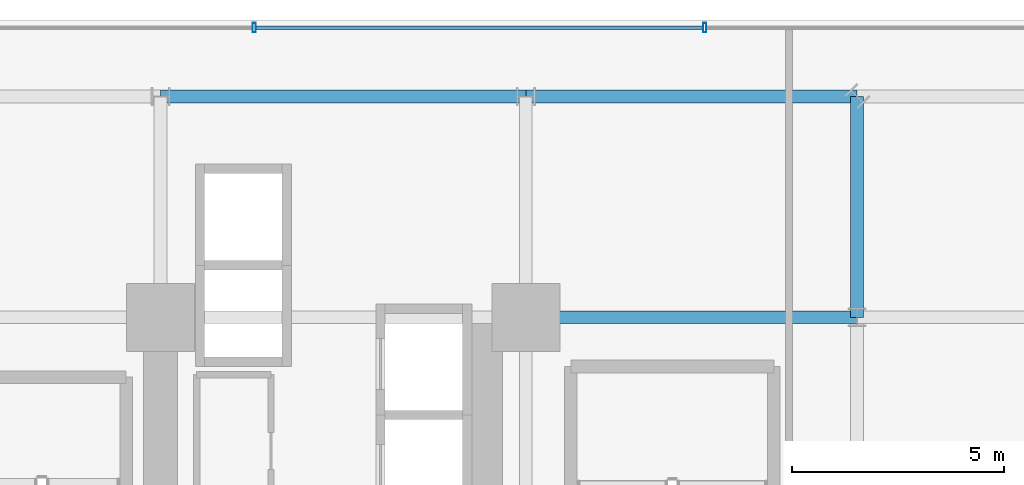
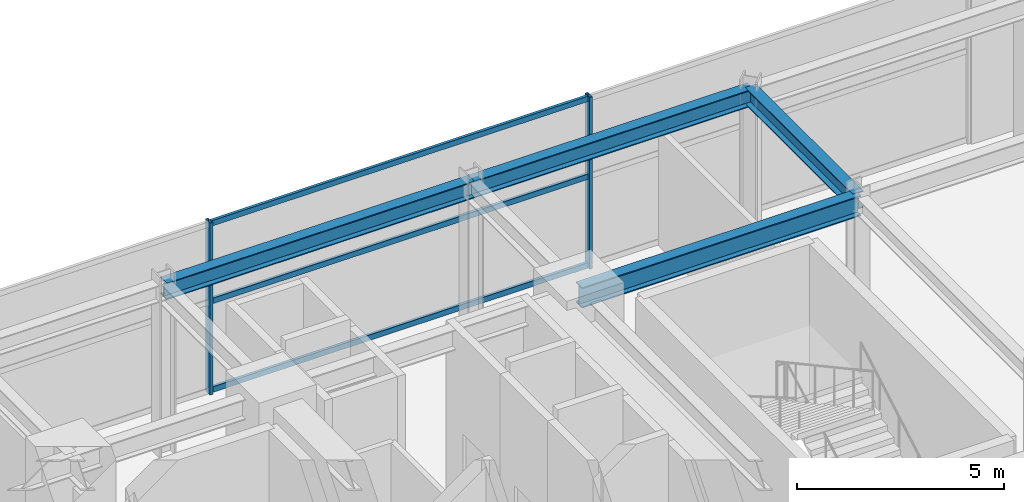
# One storey, part 20 of 32: 5 members, 4 beams, 1 element without a shape of its own.
"""IFC4 building model written with IfcOpenShell, lengths in metres."""

from ifc_helpers import new_model, si_unit, direction, frame, origin, origin_2d, place, context, subcontext, project, spatial, hollow_rectangle, i_section, extrude, source, transform, mapped, material, material_profile, profile_set, type_object, element, aggregate, save


model = new_model("IFC4")

# Units and contexts
model_context = context("Model", 3, precision=1e-05, world=origin(), true_north=direction((0.0, 1.0)))
body_context = subcontext(model_context, "Body", "Model", "MODEL_VIEW")
ifc_project = project(units=[si_unit("LENGTHUNIT", "METRE"), si_unit("AREAUNIT", "SQUARE_METRE"), si_unit("VOLUMEUNIT", "CUBIC_METRE"), si_unit("PLANEANGLEUNIT", "RADIAN"), si_unit("MASSUNIT", "GRAM", prefix="KILO")], contexts=[model_context])

# Site, building, storey
site_placement = place(None, origin())
site = spatial("IfcSite", under=ifc_project, at=site_placement, CompositionType="ELEMENT")
building_placement = place(site_placement, origin())
building = spatial("IfcBuilding", under=site, at=building_placement, Name="Nahalor Promenade Grand Hotel", CompositionType="ELEMENT")
storey_placement = place(building_placement, frame((0.0, 0.0, 5.39990234375)))
storey = spatial("IfcBuildingStorey", under=building, at=storey_placement, Name="L01", CompositionType="ELEMENT", Elevation=5.39990234375)

# Beams
ifc_material_1 = material(Name="Steel S355JR", Category="steel")
ifc_material_profile_1 = material_profile(ifc_material_1, i_section(OverallWidth=0.3, OverallDepth=0.6, WebThickness=0.0155, FlangeThickness=0.03, at=origin_2d()), Name="HEB 600")
ifc_profile_set_1 = profile_set([ifc_material_profile_1], Name="Steel S355JR")
beam_type_1 = type_object("IfcBeamType", Name="Beam-Girder-HEB600", PredefinedType="BEAM", material=ifc_profile_set_1)
shared_shape_1 = source(origin(), body_context, "Body", "SweptSolid", [
    extrude(i_section(OverallWidth=0.3, OverallDepth=0.6, WebThickness=0.0155, FlangeThickness=0.03, at=origin_2d()), origin(), (0.0, 0.0, 1.0), 7.800048828125),
])
beam_1_placement = place(storey_placement, frame((17.0, 17.0, 4.780029296875), z_axis=(1.0, 0.0, 0.0), x_axis=(0.0, 1.0, 0.0)))
element("IfcBeam", 1, at=beam_1_placement, inside=storey, type_object=beam_type_1, Name="BM-L01-GX-3-7", PredefinedType="BEAM", context=body_context, shape_type="MappedRepresentation", body=[
    mapped(shared_shape_1, transform((0.0, 0.0, 0.0), scale=1.0)),
])
ifc_material_profile_2 = material_profile(ifc_material_1, i_section(OverallWidth=0.3, OverallDepth=0.5, WebThickness=0.0145, FlangeThickness=0.028, at=origin_2d()), Name="HEB 500")
ifc_profile_set_2 = profile_set([ifc_material_profile_2], Name="Steel S355JR")
beam_type_2 = type_object("IfcBeamType", Name="Beam-Spandrel-HEB500", PredefinedType="SPANDREL", material=ifc_profile_set_2)
shared_shape_2 = source(origin(), body_context, "Body", "SweptSolid", [
    extrude(i_section(OverallWidth=0.3, OverallDepth=0.5, WebThickness=0.0145, FlangeThickness=0.028, at=origin_2d()), origin(), (0.0, 0.0, 1.0), 8.60009765625),
])
beam_2_placement = place(storey_placement, frame((8.39990234375, 22.199951171875, 4.830078125), z_axis=(1.0, 0.0, 0.0), x_axis=(0.0, 1.0, 0.0)))
element("IfcBeam", 2, at=beam_2_placement, inside=storey, type_object=beam_type_2, Name="BM-L01-SP-N-4", PredefinedType="SPANDREL", context=body_context, shape_type="MappedRepresentation", body=[
    mapped(shared_shape_2, transform((0.0, 0.0, 0.0), scale=1.0)),
])
shared_shape_3 = source(origin(), body_context, "Body", "SweptSolid", [
    extrude(i_section(OverallWidth=0.3, OverallDepth=0.5, WebThickness=0.0145, FlangeThickness=0.028, at=origin_2d()), origin(), (0.0, 0.0, 1.0), 7.800048828125),
])
beam_3_placement = place(storey_placement, frame((17.0, 22.199951171875, 4.830078125), z_axis=(1.0, 0.0, 0.0), x_axis=(0.0, 1.0, 0.0)))
element("IfcBeam", 3, at=beam_3_placement, inside=storey, type_object=beam_type_2, Name="BM-L01-SPC-NE-1", PredefinedType="SPANDREL", context=body_context, shape_type="MappedRepresentation", body=[
    mapped(shared_shape_3, transform((0.0, 0.0, 0.0), scale=1.0)),
])
shared_shape_4 = source(origin(), body_context, "Body", "SweptSolid", [
    extrude(i_section(OverallWidth=0.3, OverallDepth=0.5, WebThickness=0.0145, FlangeThickness=0.028, at=origin_2d()), origin(), (0.0, 0.0, 1.0), 5.199951171875),
])
beam_4_placement = place(storey_placement, frame((24.800048828125, 22.199951171875, 4.830078125), z_axis=(0.0, -1.0, 0.0), x_axis=(1.0, 0.0, 0.0)))
element("IfcBeam", 4, at=beam_4_placement, inside=storey, type_object=beam_type_2, Name="BM-L01-SPC-NE-2", PredefinedType="SPANDREL", context=body_context, shape_type="MappedRepresentation", body=[
    mapped(shared_shape_4, transform((0.0, 0.0, 0.0), scale=1.0)),
])

# Curtain wall, members
ifc_material_2 = material(Name="Anodised Bronze Aluminium EN AW-6063 T6", Category="aluminium")
curtain_wall_type = type_object("IfcCurtainWallType", Name="CW1 Waterfront Podium Bronze Arcade Curtain Wall", PredefinedType="USERDEFINED", material=ifc_material_2)
curtain_wall_placement = place(storey_placement, origin())
curtain_wall = element("IfcCurtainWall", 5, at=curtain_wall_placement, inside=storey, type_object=curtain_wall_type, Name="L01 Curtain Wall CW-L01-N", ObjectType="UNITISED_CURTAIN_WALL", PredefinedType="USERDEFINED")
ifc_material_profile_3 = material_profile(ifc_material_2, hollow_rectangle(XDim=0.08, YDim=0.22, WallThickness=0.005, at=origin_2d()), Name="CWM 80x220x5")
ifc_profile_set_3 = profile_set([ifc_material_profile_3], Name="Anodised Bronze Aluminium EN AW-6063 T6")
member_type_1 = type_object("IfcMemberType", Name="CWM1 Podium Bronze Mullion 80x220", PredefinedType="MULLION", material=ifc_profile_set_3)
shared_shape_5 = source(origin(), body_context, "Body", "SweptSolid", [
    extrude(hollow_rectangle(XDim=0.08, YDim=0.22, WallThickness=0.005, at=origin_2d()), origin(), (0.0, 0.0, 1.0), 5.080078125),
])
member_1_placement = place(storey_placement, frame((10.606689453125, 23.820068359375, 0.0), z_axis=(0.0, 0.0, 1.0), x_axis=(1.0, 0.0, 0.0)))
member_1 = element("IfcMember", 6, at=member_1_placement, type_object=member_type_1, Name="CW-L01-N Mullion 4", PredefinedType="MULLION", context=body_context, shape_type="MappedRepresentation", body=[
    mapped(shared_shape_5, transform((0.0, 0.0, 0.0), scale=1.0)),
])
member_2_placement = place(storey_placement, frame((21.21337890625, 23.820068359375, 0.0), z_axis=(0.0, 0.0, 1.0), x_axis=(1.0, 0.0, 0.0)))
member_2 = element("IfcMember", 7, at=member_2_placement, type_object=member_type_1, Name="CW-L01-N Mullion 5", PredefinedType="MULLION", context=body_context, shape_type="MappedRepresentation", body=[
    mapped(shared_shape_5, transform((0.0, 0.0, 0.0), scale=1.0)),
])
ifc_material_profile_4 = material_profile(ifc_material_2, hollow_rectangle(XDim=0.08, YDim=0.16, WallThickness=0.004, at=origin_2d()), Name="CWT 80x160x4")
ifc_profile_set_4 = profile_set([ifc_material_profile_4], Name="Anodised Bronze Aluminium EN AW-6063 T6")
member_type_2 = type_object("IfcMemberType", Name="CWT1 Podium Bronze Transom 80x160", PredefinedType="USERDEFINED", material=ifc_profile_set_4)
shared_shape_6 = source(origin(), body_context, "Body", "SweptSolid", [
    extrude(hollow_rectangle(XDim=0.08, YDim=0.16, WallThickness=0.004, at=origin_2d()), origin(), (0.0, 0.0, 1.0), 10.526611328125),
])
member_3_placement = place(storey_placement, frame((10.646728515625, 23.820068359375, 0.080078125), z_axis=(1.0, 0.0, 0.0), x_axis=(0.0, 1.0, 0.0)))
member_3 = element("IfcMember", 8, at=member_3_placement, type_object=member_type_2, Name="CW-L01-N Transom 4-0", ObjectType="TRANSOM", PredefinedType="USERDEFINED", context=body_context, shape_type="MappedRepresentation", body=[
    mapped(shared_shape_6, transform((0.0, 0.0, 0.0), scale=1.0)),
])
member_4_placement = place(storey_placement, frame((10.646728515625, 23.820068359375, 2.7001953125), z_axis=(1.0, 0.0, 0.0), x_axis=(0.0, 1.0, 0.0)))
member_4 = element("IfcMember", 9, at=member_4_placement, type_object=member_type_2, Name="CW-L01-N Transom 4-1", ObjectType="TRANSOM", PredefinedType="USERDEFINED", context=body_context, shape_type="MappedRepresentation", body=[
    mapped(shared_shape_6, transform((0.0, 0.0, 0.0), scale=1.0)),
])
member_5_placement = place(storey_placement, frame((10.646728515625, 23.820068359375, 5.0), z_axis=(1.0, 0.0, 0.0), x_axis=(0.0, 1.0, 0.0)))
member_5 = element("IfcMember", 10, at=member_5_placement, type_object=member_type_2, Name="CW-L01-N Transom 4-2", ObjectType="TRANSOM", PredefinedType="USERDEFINED", context=body_context, shape_type="MappedRepresentation", body=[
    mapped(shared_shape_6, transform((0.0, 0.0, 0.0), scale=1.0)),
])
aggregate(curtain_wall, [member_1, member_2, member_3, member_4, member_5])

save(model, "model.ifc")
